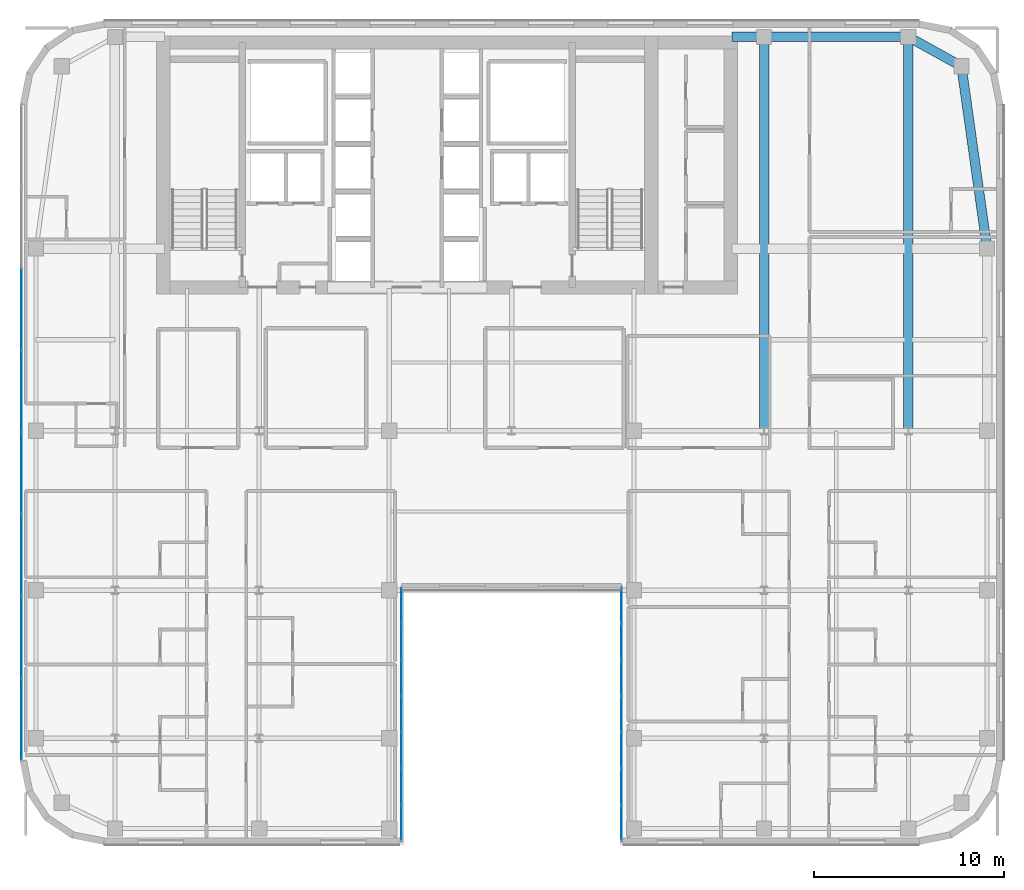
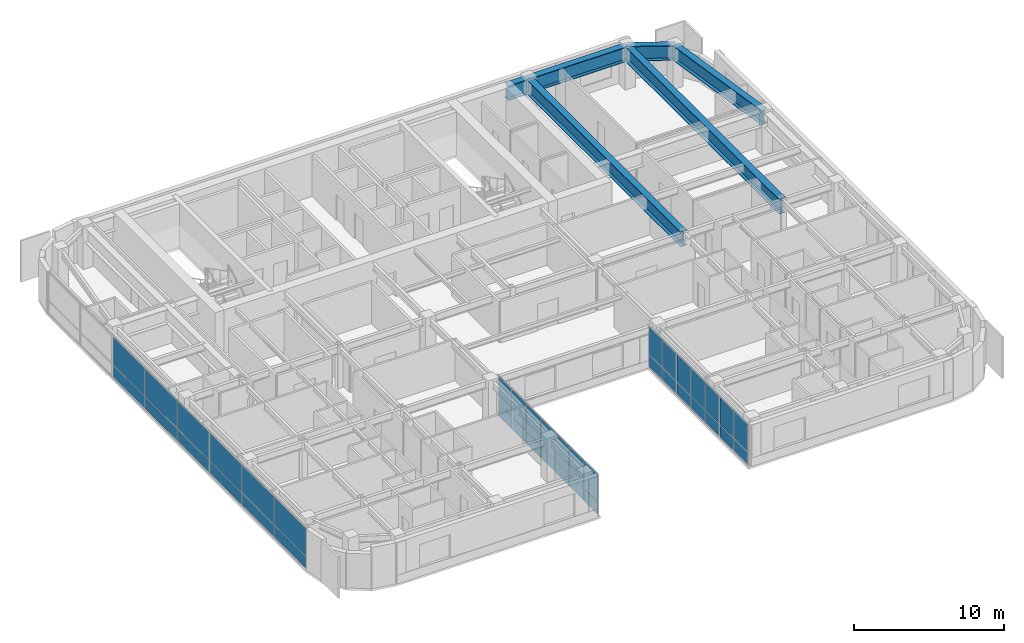
# One storey, part 16 of 28: 40 plates, 6 beams, 3 elements without a shape of their own.
"""IFC4 building model written with IfcOpenShell, lengths in metres."""

import ifcopenshell
import ifcopenshell.guid

model = None  # the IFC model being written
_history = None  # IfcOwnerHistory: only IFC2X3 demands one
_inside = {}  # id of a spatial element -> (the spatial element, [elements in it])
_under = {}  # id of a project, library or spatial element -> (it, [spatial elements below it])
_declared = {}  # id of a project -> (the project, [libraries it declares])
_typed = {}  # id of a type object -> (the type object, [elements of that type])
_made_of = {}  # id of a material, layer set ... -> (it, [elements and type objects made of it])


def new_model(schema):
    """Start an empty IFC model of exactly this schema.

    Asked for "IFC4X3", IfcOpenShell would pick the latest addendum, in which some entities
    have other attributes; the version numbers below select the first issue.
    IFC2X3 requires an IfcOwnerHistory on every rooted entity: one is made here for all.
    """
    global model, _history
    if schema == "IFC4X3":
        model = ifcopenshell.file(schema_version=(4, 3, 0, 0))
    else:
        model = ifcopenshell.file(schema=schema)
    _inside.clear()
    _under.clear()
    _declared.clear()
    _typed.clear()
    _made_of.clear()
    _history = None
    if model.schema == "IFC2X3":
        org = make("IfcOrganization", Name="unknown")
        user = make(
            "IfcPersonAndOrganization",
            ThePerson=make("IfcPerson", FamilyName="unknown"),
            TheOrganization=org,
        )
        app = make(
            "IfcApplication",
            ApplicationDeveloper=org,
            Version="unknown",
            ApplicationFullName="unknown",
            ApplicationIdentifier="unknown",
        )
        _history = make(
            "IfcOwnerHistory",
            OwningUser=user,
            OwningApplication=app,
            ChangeAction="ADDED",
            CreationDate=0,
        )
    return model


def make(cls, **values):
    """One entity of the class cls with the attributes given. An attribute that is None is left unset."""
    return model.create_entity(
        cls, **{name: value for name, value in values.items() if value is not None}
    )


def rooted(cls, **values):
    """An entity with a GlobalId (a new one), such as an element, a storey or a relation."""
    return make(cls, GlobalId=ifcopenshell.guid.new(), OwnerHistory=_history, **values)


def si_unit(unit_type, name, prefix=None):
    """IfcSIUnit, for example si_unit("LENGTHUNIT", "METRE", prefix="MILLI")."""
    return make("IfcSIUnit", UnitType=unit_type, Prefix=prefix, Name=name)


def assignment(units):
    """IfcUnitAssignment: the units of a project."""
    return None if units is None else make("IfcUnitAssignment", Units=units)


def point(xyz):
    """IfcCartesianPoint."""
    return None if xyz is None else make("IfcCartesianPoint", Coordinates=xyz)


def direction(xyz):
    """IfcDirection."""
    return None if xyz is None else make("IfcDirection", DirectionRatios=xyz)


def frame(location, z_axis=None, x_axis=None):
    """IfcAxis2Placement3D, a coordinate frame: its origin and axes. An axis left out is left unset."""
    return make(
        "IfcAxis2Placement3D",
        Location=point(location),
        Axis=direction(z_axis),
        RefDirection=direction(x_axis),
    )


def frame_2d(location, x_axis=None):
    """IfcAxis2Placement2D, a coordinate frame in the plane: its origin and x axis."""
    return make(
        "IfcAxis2Placement2D", Location=point(location), RefDirection=direction(x_axis)
    )


def origin():
    """The frame at (0, 0, 0) with its axes left unset."""
    return frame((0.0, 0.0, 0.0))


def origin_2d():
    """The frame at (0, 0) in the plane with its x axis left unset."""
    return frame_2d((0.0, 0.0))


def place(relative_to, where):
    """IfcLocalPlacement: puts the frame where relative to a parent placement (None: the world)."""
    return make(
        "IfcLocalPlacement", PlacementRelTo=relative_to, RelativePlacement=where
    )


def context(
    kind, dimensions, precision=None, world=None, true_north=None, identifier=None
):
    """IfcGeometricRepresentationContext, for example the 3D "Model" context."""
    return make(
        "IfcGeometricRepresentationContext",
        ContextIdentifier=identifier,
        ContextType=kind,
        CoordinateSpaceDimension=dimensions,
        Precision=precision,
        WorldCoordinateSystem=world,
        TrueNorth=true_north,
    )


def subcontext(parent, identifier, kind, view, scale=None):
    """IfcGeometricRepresentationSubContext, for example "Body" below "Model"."""
    return make(
        "IfcGeometricRepresentationSubContext",
        ContextIdentifier=identifier,
        ContextType=kind,
        ParentContext=parent,
        TargetScale=scale,
        TargetView=view,
    )


def project(units=None, contexts=None):
    """IfcProject with its units and contexts."""
    return rooted(
        "IfcProject",
        Name="project",
        RepresentationContexts=contexts,
        UnitsInContext=assignment(units),
    )


def spatial(cls, under=None, at=None, **own):
    """A site, building, storey or space (cls), placed at a placement, below another one or the project."""
    s = rooted(cls, ObjectPlacement=at, **own)
    if under is not None:
        _under.setdefault(under.id(), (under, []))[1].append(s)
    return s


def profile(cls, at=None, kind="AREA", **sizes):
    """A parametric profile (cls). Its sizes go by their IFC names, for example OverallWidth=200.0."""
    return make(cls, ProfileType=kind, Position=at, **sizes)


def rectangle(**sizes):
    """IfcRectangleProfileDef."""
    return profile("IfcRectangleProfileDef", **sizes)


def i_section(**sizes):
    """IfcIShapeProfileDef."""
    return profile("IfcIShapeProfileDef", **sizes)


def extrude(swept, where, along, depth):
    """IfcExtrudedAreaSolid: the profile swept, set in the frame where, extruded along a direction by depth."""
    return make(
        "IfcExtrudedAreaSolid",
        SweptArea=swept,
        Position=where,
        ExtrudedDirection=direction(along),
        Depth=depth,
    )


def shape(context_of_items, identifier, shape_type, items):
    """IfcShapeRepresentation: the items that make up one representation, for example the "Body"."""
    return make(
        "IfcShapeRepresentation",
        ContextOfItems=context_of_items,
        RepresentationIdentifier=identifier,
        RepresentationType=shape_type,
        Items=items,
    )


def source(mapping_origin, context_of_items, identifier, shape_type, items):
    """IfcRepresentationMap: a shape defined once, which mapped items show again and again."""
    return make(
        "IfcRepresentationMap",
        MappingOrigin=mapping_origin,
        MappedRepresentation=shape(context_of_items, identifier, shape_type, items),
    )


def transform(
    local_origin,
    x_axis=None,
    y_axis=None,
    z_axis=None,
    scale=None,
    scale2=None,
    scale3=None,
    uniform=True,
):
    """IfcCartesianTransformationOperator3D, or its non-uniform kind. x_axis, y_axis, z_axis: its Axis1, 2, 3."""
    if uniform:
        return make(
            "IfcCartesianTransformationOperator3D",
            Axis1=direction(x_axis),
            Axis2=direction(y_axis),
            LocalOrigin=point(local_origin),
            Scale=scale,
            Axis3=direction(z_axis),
        )
    return make(
        "IfcCartesianTransformationOperator3DnonUniform",
        Axis1=direction(x_axis),
        Axis2=direction(y_axis),
        LocalOrigin=point(local_origin),
        Scale=scale,
        Axis3=direction(z_axis),
        Scale2=scale2,
        Scale3=scale3,
    )


def mapped(mapping_source, mapping_target):
    """IfcMappedItem: shows the shape of a source again, moved by a transform."""
    return make(
        "IfcMappedItem", MappingSource=mapping_source, MappingTarget=mapping_target
    )


def material(Name=None, Category=None):
    """IfcMaterial."""
    return make("IfcMaterial", Name=Name, Category=Category)


def layer(
    of_material, thickness, ventilated=None, Name=None, Category=None, Priority=None
):
    """IfcMaterialLayer: one layer of a wall or slab, of a material (None: an air gap)."""
    return make(
        "IfcMaterialLayer",
        Material=of_material,
        LayerThickness=thickness,
        IsVentilated=ventilated,
        Name=Name,
        Category=Category,
        Priority=Priority,
    )


def layer_set(layers, Name=None):
    """IfcMaterialLayerSet."""
    return make("IfcMaterialLayerSet", MaterialLayers=layers, LayerSetName=Name)


def material_profile(
    of_material, cross_section, Name=None, Category=None, Priority=None
):
    """IfcMaterialProfile: a cross section and its material."""
    return make(
        "IfcMaterialProfile",
        Name=Name,
        Material=of_material,
        Profile=cross_section,
        Priority=Priority,
        Category=Category,
    )


def profile_set(profiles, Name=None, composite=None):
    """IfcMaterialProfileSet."""
    return make(
        "IfcMaterialProfileSet",
        Name=Name,
        MaterialProfiles=profiles,
        CompositeProfile=composite,
    )


def made_of(thing, what):
    """Note that an element or type object is made of a material, layer set ...; save() writes the relation."""
    if what is not None:
        _made_of.setdefault(what.id(), (what, []))[1].append(thing)
    return thing


def type_object(cls, material=None, **own):
    """A type object (cls), such as IfcWallType, which elements share."""
    return made_of(rooted(cls, **own), material)


def type_shapes(of_type, sources):
    """Give a type object the sources (RepresentationMaps) that its elements show as mapped items."""
    of_type.RepresentationMaps = sources


def element(
    cls,
    number,
    at=None,
    inside=None,
    cuts=None,
    type_object=None,
    material=None,
    context=None,
    identifier="Body",
    shape_type=None,
    held_by="IfcProductDefinitionShape",
    body=None,
    shapes=None,
    **own,
):
    """One element of the class cls, such as IfcWall. Its Tag is "e" and its number.

    at: its placement. inside: the storey or other place that contains it. cuts: it is an
    opening in that element (IfcRelVoidsElement). A single representation is given by context,
    identifier, shape_type and body (its items); several are given by shapes. held_by: the class
    of the entity that holds the representations. save() writes the other relations.
    """
    e = rooted(cls, Tag="e%d" % number, ObjectPlacement=at, **own)
    if body is not None:
        shapes = [shape(context, identifier, shape_type, body)]
    if shapes is not None:
        e.Representation = make(held_by, Representations=shapes)
    if inside is not None:
        _inside.setdefault(inside.id(), (inside, []))[1].append(e)
    if cuts is not None:
        rooted(
            "IfcRelVoidsElement", RelatingBuildingElement=cuts, RelatedOpeningElement=e
        )
    if type_object is not None:
        _typed.setdefault(type_object.id(), (type_object, []))[1].append(e)
    return made_of(e, material)


def aggregate(whole, parts):
    """IfcRelAggregates: a whole, such as a stair, and the parts it consists of."""
    return rooted("IfcRelAggregates", RelatingObject=whole, RelatedObjects=parts)


def save(model, path):
    """Write the relations noted so far, then the file.

    IfcRelAggregates (storeys below a building ...), IfcRelContainedInSpatialStructure (elements
    in a storey), IfcRelDefinesByType, IfcRelAssociatesMaterial and IfcRelDeclares: one each for
    every whole, place, type object, material and project.
    """
    for whole, parts in _under.values():
        aggregate(whole, parts)
    for where, things in _inside.values():
        rooted(
            "IfcRelContainedInSpatialStructure",
            RelatedElements=things,
            RelatingStructure=where,
        )
    for kind, things in _typed.values():
        rooted("IfcRelDefinesByType", RelatedObjects=things, RelatingType=kind)
    for what, things in _made_of.values():
        rooted("IfcRelAssociatesMaterial", RelatedObjects=things, RelatingMaterial=what)
    for by, libraries in _declared.values():
        rooted("IfcRelDeclares", RelatingContext=by, RelatedDefinitions=libraries)
    model.write(path)


model = new_model("IFC4")

# Units and contexts
model_context = context("Model", 3, precision=1e-05, world=origin(), true_north=direction((0.0, 1.0)))
body_context = subcontext(model_context, "Body", "Model", "MODEL_VIEW")
ifc_project = project(units=[si_unit("LENGTHUNIT", "METRE"), si_unit("AREAUNIT", "SQUARE_METRE"), si_unit("VOLUMEUNIT", "CUBIC_METRE"), si_unit("PLANEANGLEUNIT", "RADIAN"), si_unit("MASSUNIT", "GRAM", prefix="KILO")], contexts=[model_context])

# Site, building, storey
site_placement = place(None, origin())
site = spatial("IfcSite", under=ifc_project, at=site_placement, CompositionType="ELEMENT")
building_placement = place(site_placement, origin())
building = spatial("IfcBuilding", under=site, at=building_placement, Name="Tolvann Quenvar Hotel", CompositionType="ELEMENT")
storey_placement = place(building_placement, frame((0.0, 0.0, 154.14990234375)))
storey = spatial("IfcBuildingStorey", under=building, at=storey_placement, Name="L40", CompositionType="ELEMENT", Elevation=154.14990234375)

# Beams
ifc_material_1 = material(Name="Steel Grade 350", Category="steel")
ifc_material_profile = material_profile(ifc_material_1, i_section(OverallWidth=0.5, OverallDepth=1.199951171875, WebThickness=0.01611328125, FlangeThickness=0.0400390625, at=origin_2d()), Name="1200WB455")
ifc_profile_set = profile_set([ifc_material_profile], Name="Steel Grade 350")
beam_type = type_object("IfcBeamType", Name="BM_TG_1200WB455", PredefinedType="USERDEFINED", material=ifc_profile_set)
shared_shape_1 = source(origin(), body_context, "Body", "SweptSolid", [
    extrude(i_section(OverallWidth=0.5, OverallDepth=1.199951171875, WebThickness=0.01611328125, FlangeThickness=0.0400390625, at=origin_2d()), origin(), (0.0, 0.0, 1.0), 7.599853515625),
])
beam_1_placement = place(storey_placement, frame((49.39990234375, 45.14990234375, 2.77001953125), z_axis=(-1.0, 0.0, 0.0), x_axis=(0.0, -1.0, 0.0)))
element("IfcBeam", 1, at=beam_1_placement, inside=storey, type_object=beam_type, Name="BM-L40-FLK-E4", ObjectType="TRANSFER GIRDER", PredefinedType="USERDEFINED", context=body_context, shape_type="MappedRepresentation", body=[
    mapped(shared_shape_1, transform((0.0, 0.0, 0.0), x_axis=(1.0, 0.0, 0.0), y_axis=(0.0, 1.0, 0.0), z_axis=(0.0, 0.0, 1.0), scale=1.0)),
])
shared_shape_2 = source(origin(), body_context, "Body", "SweptSolid", [
    extrude(i_section(OverallWidth=0.5, OverallDepth=1.199951171875, WebThickness=0.01611328125, FlangeThickness=0.0400390625, at=origin_2d()), origin(), (0.0, 0.0, 1.0), 20.75),
])
for number, where, z_axis, x_axis, name in (
    (2, (41.800048828125, 24.39990234375, 2.77001953125), (0.0, 1.0, 0.0), (-1.0, 0.0, 0.0), "BM-L40-FLK-EH"),
    (3, (49.39990234375, 24.39990234375, 2.77001953125), (0.0, 1.0, 0.0), (-1.0, 0.0, 0.0), "BM-L40-FLK-EI"),
):
    element("IfcBeam", number, at=place(storey_placement, frame(where, z_axis=z_axis, x_axis=x_axis)), inside=storey, type_object=beam_type, Name=name, ObjectType="TRANSFER GIRDER", PredefinedType="USERDEFINED", context=body_context, shape_type="MappedRepresentation", body=[
        mapped(shared_shape_2, transform((0.0, 0.0, 0.0), x_axis=(1.0, 0.0, 0.0), y_axis=(0.0, 1.0, 0.0), z_axis=(0.0, 0.0, 1.0), scale=1.0)),
    ])
shared_shape_3 = source(origin(), body_context, "Body", "SweptSolid", [
    extrude(i_section(OverallWidth=0.5, OverallDepth=1.199951171875, WebThickness=0.01611328125, FlangeThickness=0.0400390625, at=origin_2d()), origin(), (0.0, 0.0, 1.0), 1.699951171875),
])
beam_2_placement = place(storey_placement, frame((40.10009765625, 45.14990234375, 2.77001953125), z_axis=(1.0, 0.0, 0.0), x_axis=(0.0, 1.0, 0.0)))
element("IfcBeam", 4, at=beam_2_placement, inside=storey, type_object=beam_type, Name="BM-L40-CTE-HN", ObjectType="TRANSFER GIRDER", PredefinedType="USERDEFINED", context=body_context, shape_type="MappedRepresentation", body=[
    mapped(shared_shape_3, transform((0.0, 0.0, 0.0), x_axis=(1.0, 0.0, 0.0), y_axis=(0.0, 1.0, 0.0), z_axis=(0.0, 0.0, 1.0), scale=1.0)),
])
shared_shape_4 = source(origin(), body_context, "Body", "SweptSolid", [
    extrude(i_section(OverallWidth=0.5, OverallDepth=1.199951171875, WebThickness=0.01611328125, FlangeThickness=0.0400390625, at=origin_2d()), origin(), (0.0, 0.0, 1.0), 9.694580078125),
])
beam_3_placement = place(storey_placement, frame((53.550048828125, 34.0, 2.77001953125), z_axis=(-0.139263320262, 0.990255385055, 0.0), x_axis=(-0.990255385055, -0.139263320262, 0.0)))
element("IfcBeam", 5, at=beam_3_placement, inside=storey, type_object=beam_type, Name="BM-L40-FLK-E2", ObjectType="TRANSFER GIRDER", PredefinedType="USERDEFINED", context=body_context, shape_type="MappedRepresentation", body=[
    mapped(shared_shape_4, transform((0.0, 0.0, 0.0), x_axis=(1.0, 0.0, 0.0), y_axis=(0.0, 1.0, 0.0), z_axis=(0.0, 0.0, 1.0), scale=1.0)),
])
shared_shape_5 = source(origin(), body_context, "Body", "SweptSolid", [
    extrude(i_section(OverallWidth=0.5, OverallDepth=1.199951171875, WebThickness=0.01611328125, FlangeThickness=0.0400390625, at=origin_2d()), origin(), (0.0, 0.0, 1.0), 3.200439453125),
])
type_shapes(beam_type, [shared_shape_1, shared_shape_2, shared_shape_3, shared_shape_4, shared_shape_5])
beam_4_placement = place(storey_placement, frame((52.199951171875, 43.60009765625, 2.77001953125), z_axis=(-0.87492264453, 0.48426270359, 0.0), x_axis=(-0.48426270359, -0.87492264453, 0.0)))
element("IfcBeam", 6, at=beam_4_placement, inside=storey, type_object=beam_type, Name="BM-L40-FLK-E3", ObjectType="TRANSFER GIRDER", PredefinedType="USERDEFINED", context=body_context, shape_type="MappedRepresentation", body=[
    mapped(shared_shape_5, transform((0.0, 0.0, 0.0), x_axis=(1.0, 0.0, 0.0), y_axis=(0.0, 1.0, 0.0), z_axis=(0.0, 0.0, 1.0), scale=1.0)),
])

# Curtain wall, plates
ifc_material_2 = material(Name="Thermally broken anodised architectural aluminium 6063-T6 and laminated low-E glass", Category="aluminium")
ifc_layer_1 = layer(ifc_material_2, 0.179931640625)
ifc_layer_set_1 = layer_set([ifc_layer_1], Name="Thermally broken anodised architectural aluminium 6063-T6 and laminated low-E glass")
curtain_wall_type_1 = type_object("IfcCurtainWallType", Name="CW_SYS_SLOT_03", PredefinedType="USERDEFINED", material=ifc_layer_set_1)
curtain_wall_1_placement = place(storey_placement, origin())
curtain_wall_1 = element("IfcCurtainWall", 7, at=curtain_wall_1_placement, inside=storey, type_object=curtain_wall_type_1, Name="Curtain Wall CW-SLOT-03 (CWR-L40-E05)", ObjectType="UNITISED CURTAIN WALL", PredefinedType="USERDEFINED")
ifc_material_3 = material(Name="Low-iron laminated double glazing with solar-control coating", Category="glass")
ifc_layer_2 = layer(ifc_material_3, 0.028076171875)
ifc_layer_set_2 = layer_set([ifc_layer_2], Name="Low-iron laminated double glazing with solar-control coating")
plate_type = type_object("IfcPlateType", Name="CW_PAN_VISION_28", PredefinedType="CURTAIN_PANEL", material=ifc_layer_set_2)
shared_shape_6 = source(origin(), body_context, "Body", "SweptSolid", [
    extrude(rectangle(XDim=1.809326171875, YDim=0.028076171875, at=origin_2d()), origin(), (0.0, 0.0, 1.0), 0.9599609375),
])
plate_1_placement = place(storey_placement, frame((22.7099609375, 3.749755859375, 0.06005859375), z_axis=(0.0, 0.0, 1.0), x_axis=(0.0, 1.0, 0.0)))
plate_1 = element("IfcPlate", 8, at=plate_1_placement, type_object=plate_type, Name="CW-SLOT-03 panel 1.1", PredefinedType="CURTAIN_PANEL", context=body_context, shape_type="MappedRepresentation", body=[
    mapped(shared_shape_6, transform((0.0, 0.0, 0.0), x_axis=(1.0, 0.0, 0.0), y_axis=(0.0, 1.0, 0.0), z_axis=(0.0, 0.0, 1.0), scale=1.0)),
])
plate_2_placement = place(storey_placement, frame((22.7099609375, 15.200439453125, 0.06005859375), z_axis=(0.0, 0.0, 1.0), x_axis=(0.0, 1.0, 0.0)))
plate_2 = element("IfcPlate", 9, at=plate_2_placement, type_object=plate_type, Name="CW-SLOT-03 panel 7.1", PredefinedType="CURTAIN_PANEL", context=body_context, shape_type="MappedRepresentation", body=[
    mapped(shared_shape_6, transform((0.0, 0.0, 0.0), x_axis=(1.0, 0.0, 0.0), y_axis=(0.0, 1.0, 0.0), z_axis=(0.0, 0.0, 1.0), scale=1.0)),
])

curtain_wall_2_placement = place(storey_placement, origin())
curtain_wall_2 = element("IfcCurtainWall", 10, at=curtain_wall_2_placement, inside=storey, type_object=curtain_wall_type_1, Name="Curtain Wall CW-SLOT-03 (CWR-L40-E07)", ObjectType="UNITISED CURTAIN WALL", PredefinedType="USERDEFINED")
plate_3_placement = place(storey_placement, frame((34.2900390625, 15.200439453125, 0.06005859375), z_axis=(0.0, 0.0, 1.0), x_axis=(0.0, -1.0, 0.0)))
plate_3 = element("IfcPlate", 11, at=plate_3_placement, type_object=plate_type, Name="CW-SLOT-03 panel 1.1", PredefinedType="CURTAIN_PANEL", context=body_context, shape_type="MappedRepresentation", body=[
    mapped(shared_shape_6, transform((0.0, 0.0, 0.0), x_axis=(1.0, 0.0, 0.0), y_axis=(0.0, 1.0, 0.0), z_axis=(0.0, 0.0, 1.0), scale=1.0)),
])
plate_4_placement = place(storey_placement, frame((34.2900390625, 3.749755859375, 0.06005859375), z_axis=(0.0, 0.0, 1.0), x_axis=(0.0, -1.0, 0.0)))
plate_4 = element("IfcPlate", 12, at=plate_4_placement, type_object=plate_type, Name="CW-SLOT-03 panel 7.1", PredefinedType="CURTAIN_PANEL", context=body_context, shape_type="MappedRepresentation", body=[
    mapped(shared_shape_6, transform((0.0, 0.0, 0.0), x_axis=(1.0, 0.0, 0.0), y_axis=(0.0, 1.0, 0.0), z_axis=(0.0, 0.0, 1.0), scale=1.0)),
])

# Plate
shared_shape_7 = source(origin(), body_context, "Body", "SweptSolid", [
    extrude(rectangle(XDim=1.809326171875, YDim=0.028076171875, at=origin_2d()), origin(), (0.0, 0.0, 1.0), 2.22998046875),
])
plate_5_placement = place(storey_placement, frame((22.7099609375, 3.749755859375, 1.080078125), z_axis=(0.0, 0.0, 1.0), x_axis=(0.0, 1.0, 0.0)))
plate_5 = element("IfcPlate", 13, at=plate_5_placement, type_object=plate_type, Name="CW-SLOT-03 panel 1.2", PredefinedType="CURTAIN_PANEL", context=body_context, shape_type="MappedRepresentation", body=[
    mapped(shared_shape_7, transform((0.0, 0.0, 0.0), x_axis=(1.0, 0.0, 0.0), y_axis=(0.0, 1.0, 0.0), z_axis=(0.0, 0.0, 1.0), scale=1.0)),
])

plate_6_placement = place(storey_placement, frame((22.7099609375, 15.200439453125, 1.080078125), z_axis=(0.0, 0.0, 1.0), x_axis=(0.0, 1.0, 0.0)))
plate_6 = element("IfcPlate", 14, at=plate_6_placement, type_object=plate_type, Name="CW-SLOT-03 panel 7.2", PredefinedType="CURTAIN_PANEL", context=body_context, shape_type="MappedRepresentation", body=[
    mapped(shared_shape_7, transform((0.0, 0.0, 0.0), x_axis=(1.0, 0.0, 0.0), y_axis=(0.0, 1.0, 0.0), z_axis=(0.0, 0.0, 1.0), scale=1.0)),
])

plate_7_placement = place(storey_placement, frame((34.2900390625, 15.200439453125, 1.080078125), z_axis=(0.0, 0.0, 1.0), x_axis=(0.0, -1.0, 0.0)))
plate_7 = element("IfcPlate", 15, at=plate_7_placement, type_object=plate_type, Name="CW-SLOT-03 panel 1.2", PredefinedType="CURTAIN_PANEL", context=body_context, shape_type="MappedRepresentation", body=[
    mapped(shared_shape_7, transform((0.0, 0.0, 0.0), x_axis=(1.0, 0.0, 0.0), y_axis=(0.0, 1.0, 0.0), z_axis=(0.0, 0.0, 1.0), scale=1.0)),
])

plate_8_placement = place(storey_placement, frame((34.2900390625, 3.749755859375, 1.080078125), z_axis=(0.0, 0.0, 1.0), x_axis=(0.0, -1.0, 0.0)))
plate_8 = element("IfcPlate", 16, at=plate_8_placement, type_object=plate_type, Name="CW-SLOT-03 panel 7.2", PredefinedType="CURTAIN_PANEL", context=body_context, shape_type="MappedRepresentation", body=[
    mapped(shared_shape_7, transform((0.0, 0.0, 0.0), x_axis=(1.0, 0.0, 0.0), y_axis=(0.0, 1.0, 0.0), z_axis=(0.0, 0.0, 1.0), scale=1.0)),
])

shared_shape_8 = source(origin(), body_context, "Body", "SweptSolid", [
    extrude(rectangle(XDim=1.84423828125, YDim=0.028076171875, at=origin_2d()), origin(), (0.0, 0.0, 1.0), 0.9599609375),
])
plate_9_placement = place(storey_placement, frame((22.7099609375, 5.646484375, 0.06005859375), z_axis=(0.0, 0.0, 1.0), x_axis=(0.0, 1.0, 0.0)))
plate_9 = element("IfcPlate", 17, at=plate_9_placement, type_object=plate_type, Name="CW-SLOT-03 panel 2.1", PredefinedType="CURTAIN_PANEL", context=body_context, shape_type="MappedRepresentation", body=[
    mapped(shared_shape_8, transform((0.0, 0.0, 0.0), x_axis=(1.0, 0.0, 0.0), y_axis=(0.0, 1.0, 0.0), z_axis=(0.0, 0.0, 1.0), scale=1.0)),
])

plate_10_placement = place(storey_placement, frame((22.7099609375, 7.560791015625, 0.06005859375), z_axis=(0.0, 0.0, 1.0), x_axis=(0.0, 1.0, 0.0)))
plate_10 = element("IfcPlate", 18, at=plate_10_placement, type_object=plate_type, Name="CW-SLOT-03 panel 3.1", PredefinedType="CURTAIN_PANEL", context=body_context, shape_type="MappedRepresentation", body=[
    mapped(shared_shape_8, transform((0.0, 0.0, 0.0), x_axis=(1.0, 0.0, 0.0), y_axis=(0.0, 1.0, 0.0), z_axis=(0.0, 0.0, 1.0), scale=1.0)),
])

plate_11_placement = place(storey_placement, frame((22.7099609375, 9.47509765625, 0.06005859375), z_axis=(0.0, 0.0, 1.0), x_axis=(0.0, 1.0, 0.0)))
plate_11 = element("IfcPlate", 19, at=plate_11_placement, type_object=plate_type, Name="CW-SLOT-03 panel 4.1", PredefinedType="CURTAIN_PANEL", context=body_context, shape_type="MappedRepresentation", body=[
    mapped(shared_shape_8, transform((0.0, 0.0, 0.0), x_axis=(1.0, 0.0, 0.0), y_axis=(0.0, 1.0, 0.0), z_axis=(0.0, 0.0, 1.0), scale=1.0)),
])

plate_12_placement = place(storey_placement, frame((22.7099609375, 11.389404296875, 0.06005859375), z_axis=(0.0, 0.0, 1.0), x_axis=(0.0, 1.0, 0.0)))
plate_12 = element("IfcPlate", 20, at=plate_12_placement, type_object=plate_type, Name="CW-SLOT-03 panel 5.1", PredefinedType="CURTAIN_PANEL", context=body_context, shape_type="MappedRepresentation", body=[
    mapped(shared_shape_8, transform((0.0, 0.0, 0.0), x_axis=(1.0, 0.0, 0.0), y_axis=(0.0, 1.0, 0.0), z_axis=(0.0, 0.0, 1.0), scale=1.0)),
])

plate_13_placement = place(storey_placement, frame((22.7099609375, 13.303466796875, 0.06005859375), z_axis=(0.0, 0.0, 1.0), x_axis=(0.0, 1.0, 0.0)))
plate_13 = element("IfcPlate", 21, at=plate_13_placement, type_object=plate_type, Name="CW-SLOT-03 panel 6.1", PredefinedType="CURTAIN_PANEL", context=body_context, shape_type="MappedRepresentation", body=[
    mapped(shared_shape_8, transform((0.0, 0.0, 0.0), x_axis=(1.0, 0.0, 0.0), y_axis=(0.0, 1.0, 0.0), z_axis=(0.0, 0.0, 1.0), scale=1.0)),
])

plate_14_placement = place(storey_placement, frame((34.2900390625, 13.303466796875, 0.06005859375), z_axis=(0.0, 0.0, 1.0), x_axis=(0.0, -1.0, 0.0)))
plate_14 = element("IfcPlate", 22, at=plate_14_placement, type_object=plate_type, Name="CW-SLOT-03 panel 2.1", PredefinedType="CURTAIN_PANEL", context=body_context, shape_type="MappedRepresentation", body=[
    mapped(shared_shape_8, transform((0.0, 0.0, 0.0), x_axis=(1.0, 0.0, 0.0), y_axis=(0.0, 1.0, 0.0), z_axis=(0.0, 0.0, 1.0), scale=1.0)),
])

plate_15_placement = place(storey_placement, frame((34.2900390625, 11.389404296875, 0.06005859375), z_axis=(0.0, 0.0, 1.0), x_axis=(0.0, -1.0, 0.0)))
plate_15 = element("IfcPlate", 23, at=plate_15_placement, type_object=plate_type, Name="CW-SLOT-03 panel 3.1", PredefinedType="CURTAIN_PANEL", context=body_context, shape_type="MappedRepresentation", body=[
    mapped(shared_shape_8, transform((0.0, 0.0, 0.0), x_axis=(1.0, 0.0, 0.0), y_axis=(0.0, 1.0, 0.0), z_axis=(0.0, 0.0, 1.0), scale=1.0)),
])

plate_16_placement = place(storey_placement, frame((34.2900390625, 9.47509765625, 0.06005859375), z_axis=(0.0, 0.0, 1.0), x_axis=(0.0, -1.0, 0.0)))
plate_16 = element("IfcPlate", 24, at=plate_16_placement, type_object=plate_type, Name="CW-SLOT-03 panel 4.1", PredefinedType="CURTAIN_PANEL", context=body_context, shape_type="MappedRepresentation", body=[
    mapped(shared_shape_8, transform((0.0, 0.0, 0.0), x_axis=(1.0, 0.0, 0.0), y_axis=(0.0, 1.0, 0.0), z_axis=(0.0, 0.0, 1.0), scale=1.0)),
])

plate_17_placement = place(storey_placement, frame((34.2900390625, 7.560791015625, 0.06005859375), z_axis=(0.0, 0.0, 1.0), x_axis=(0.0, -1.0, 0.0)))
plate_17 = element("IfcPlate", 25, at=plate_17_placement, type_object=plate_type, Name="CW-SLOT-03 panel 5.1", PredefinedType="CURTAIN_PANEL", context=body_context, shape_type="MappedRepresentation", body=[
    mapped(shared_shape_8, transform((0.0, 0.0, 0.0), x_axis=(1.0, 0.0, 0.0), y_axis=(0.0, 1.0, 0.0), z_axis=(0.0, 0.0, 1.0), scale=1.0)),
])

plate_18_placement = place(storey_placement, frame((34.2900390625, 5.646484375, 0.06005859375), z_axis=(0.0, 0.0, 1.0), x_axis=(0.0, -1.0, 0.0)))
plate_18 = element("IfcPlate", 26, at=plate_18_placement, type_object=plate_type, Name="CW-SLOT-03 panel 6.1", PredefinedType="CURTAIN_PANEL", context=body_context, shape_type="MappedRepresentation", body=[
    mapped(shared_shape_8, transform((0.0, 0.0, 0.0), x_axis=(1.0, 0.0, 0.0), y_axis=(0.0, 1.0, 0.0), z_axis=(0.0, 0.0, 1.0), scale=1.0)),
])

shared_shape_9 = source(origin(), body_context, "Body", "SweptSolid", [
    extrude(rectangle(XDim=1.84423828125, YDim=0.028076171875, at=origin_2d()), origin(), (0.0, 0.0, 1.0), 2.22998046875),
])
plate_19_placement = place(storey_placement, frame((22.7099609375, 5.646484375, 1.080078125), z_axis=(0.0, 0.0, 1.0), x_axis=(0.0, 1.0, 0.0)))
plate_19 = element("IfcPlate", 27, at=plate_19_placement, type_object=plate_type, Name="CW-SLOT-03 panel 2.2", PredefinedType="CURTAIN_PANEL", context=body_context, shape_type="MappedRepresentation", body=[
    mapped(shared_shape_9, transform((0.0, 0.0, 0.0), x_axis=(1.0, 0.0, 0.0), y_axis=(0.0, 1.0, 0.0), z_axis=(0.0, 0.0, 1.0), scale=1.0)),
])

plate_20_placement = place(storey_placement, frame((22.7099609375, 7.560791015625, 1.080078125), z_axis=(0.0, 0.0, 1.0), x_axis=(0.0, 1.0, 0.0)))
plate_20 = element("IfcPlate", 28, at=plate_20_placement, type_object=plate_type, Name="CW-SLOT-03 panel 3.2", PredefinedType="CURTAIN_PANEL", context=body_context, shape_type="MappedRepresentation", body=[
    mapped(shared_shape_9, transform((0.0, 0.0, 0.0), x_axis=(1.0, 0.0, 0.0), y_axis=(0.0, 1.0, 0.0), z_axis=(0.0, 0.0, 1.0), scale=1.0)),
])

plate_21_placement = place(storey_placement, frame((22.7099609375, 9.47509765625, 1.080078125), z_axis=(0.0, 0.0, 1.0), x_axis=(0.0, 1.0, 0.0)))
plate_21 = element("IfcPlate", 29, at=plate_21_placement, type_object=plate_type, Name="CW-SLOT-03 panel 4.2", PredefinedType="CURTAIN_PANEL", context=body_context, shape_type="MappedRepresentation", body=[
    mapped(shared_shape_9, transform((0.0, 0.0, 0.0), x_axis=(1.0, 0.0, 0.0), y_axis=(0.0, 1.0, 0.0), z_axis=(0.0, 0.0, 1.0), scale=1.0)),
])

plate_22_placement = place(storey_placement, frame((22.7099609375, 11.389404296875, 1.080078125), z_axis=(0.0, 0.0, 1.0), x_axis=(0.0, 1.0, 0.0)))
plate_22 = element("IfcPlate", 30, at=plate_22_placement, type_object=plate_type, Name="CW-SLOT-03 panel 5.2", PredefinedType="CURTAIN_PANEL", context=body_context, shape_type="MappedRepresentation", body=[
    mapped(shared_shape_9, transform((0.0, 0.0, 0.0), x_axis=(1.0, 0.0, 0.0), y_axis=(0.0, 1.0, 0.0), z_axis=(0.0, 0.0, 1.0), scale=1.0)),
])

plate_23_placement = place(storey_placement, frame((22.7099609375, 13.303466796875, 1.080078125), z_axis=(0.0, 0.0, 1.0), x_axis=(0.0, 1.0, 0.0)))
plate_23 = element("IfcPlate", 31, at=plate_23_placement, type_object=plate_type, Name="CW-SLOT-03 panel 6.2", PredefinedType="CURTAIN_PANEL", context=body_context, shape_type="MappedRepresentation", body=[
    mapped(shared_shape_9, transform((0.0, 0.0, 0.0), x_axis=(1.0, 0.0, 0.0), y_axis=(0.0, 1.0, 0.0), z_axis=(0.0, 0.0, 1.0), scale=1.0)),
])

aggregate(curtain_wall_1, [plate_1, plate_5, plate_9, plate_19, plate_10, plate_20, plate_11, plate_21, plate_12, plate_22, plate_13, plate_23, plate_2, plate_6])

plate_24_placement = place(storey_placement, frame((34.2900390625, 13.303466796875, 1.080078125), z_axis=(0.0, 0.0, 1.0), x_axis=(0.0, -1.0, 0.0)))
plate_24 = element("IfcPlate", 32, at=plate_24_placement, type_object=plate_type, Name="CW-SLOT-03 panel 2.2", PredefinedType="CURTAIN_PANEL", context=body_context, shape_type="MappedRepresentation", body=[
    mapped(shared_shape_9, transform((0.0, 0.0, 0.0), x_axis=(1.0, 0.0, 0.0), y_axis=(0.0, 1.0, 0.0), z_axis=(0.0, 0.0, 1.0), scale=1.0)),
])

plate_25_placement = place(storey_placement, frame((34.2900390625, 11.389404296875, 1.080078125), z_axis=(0.0, 0.0, 1.0), x_axis=(0.0, -1.0, 0.0)))
plate_25 = element("IfcPlate", 33, at=plate_25_placement, type_object=plate_type, Name="CW-SLOT-03 panel 3.2", PredefinedType="CURTAIN_PANEL", context=body_context, shape_type="MappedRepresentation", body=[
    mapped(shared_shape_9, transform((0.0, 0.0, 0.0), x_axis=(1.0, 0.0, 0.0), y_axis=(0.0, 1.0, 0.0), z_axis=(0.0, 0.0, 1.0), scale=1.0)),
])

plate_26_placement = place(storey_placement, frame((34.2900390625, 9.47509765625, 1.080078125), z_axis=(0.0, 0.0, 1.0), x_axis=(0.0, -1.0, 0.0)))
plate_26 = element("IfcPlate", 34, at=plate_26_placement, type_object=plate_type, Name="CW-SLOT-03 panel 4.2", PredefinedType="CURTAIN_PANEL", context=body_context, shape_type="MappedRepresentation", body=[
    mapped(shared_shape_9, transform((0.0, 0.0, 0.0), x_axis=(1.0, 0.0, 0.0), y_axis=(0.0, 1.0, 0.0), z_axis=(0.0, 0.0, 1.0), scale=1.0)),
])

plate_27_placement = place(storey_placement, frame((34.2900390625, 7.560791015625, 1.080078125), z_axis=(0.0, 0.0, 1.0), x_axis=(0.0, -1.0, 0.0)))
plate_27 = element("IfcPlate", 35, at=plate_27_placement, type_object=plate_type, Name="CW-SLOT-03 panel 5.2", PredefinedType="CURTAIN_PANEL", context=body_context, shape_type="MappedRepresentation", body=[
    mapped(shared_shape_9, transform((0.0, 0.0, 0.0), x_axis=(1.0, 0.0, 0.0), y_axis=(0.0, 1.0, 0.0), z_axis=(0.0, 0.0, 1.0), scale=1.0)),
])

plate_28_placement = place(storey_placement, frame((34.2900390625, 5.646484375, 1.080078125), z_axis=(0.0, 0.0, 1.0), x_axis=(0.0, -1.0, 0.0)))
plate_28 = element("IfcPlate", 36, at=plate_28_placement, type_object=plate_type, Name="CW-SLOT-03 panel 6.2", PredefinedType="CURTAIN_PANEL", context=body_context, shape_type="MappedRepresentation", body=[
    mapped(shared_shape_9, transform((0.0, 0.0, 0.0), x_axis=(1.0, 0.0, 0.0), y_axis=(0.0, 1.0, 0.0), z_axis=(0.0, 0.0, 1.0), scale=1.0)),
])

aggregate(curtain_wall_2, [plate_3, plate_7, plate_14, plate_24, plate_15, plate_25, plate_16, plate_26, plate_17, plate_27, plate_18, plate_28, plate_4, plate_8])

# Curtain wall, plates
ifc_layer_3 = layer(ifc_material_2, 0.179931640625)
ifc_layer_set_3 = layer_set([ifc_layer_3], Name="Thermally broken anodised architectural aluminium 6063-T6 and laminated low-E glass")
curtain_wall_type_2 = type_object("IfcCurtainWallType", Name="CW_SYS_BAND_04", PredefinedType="USERDEFINED", material=ifc_layer_set_3)
curtain_wall_3_placement = place(storey_placement, origin())
curtain_wall_3 = element("IfcCurtainWall", 37, at=curtain_wall_3_placement, inside=storey, type_object=curtain_wall_type_2, Name="Curtain Wall CW-BAND-04 (CWR-L40-E23)", ObjectType="UNITISED CURTAIN WALL", PredefinedType="USERDEFINED")
shared_shape_10 = source(origin(), body_context, "Body", "SweptSolid", [
    extrude(rectangle(XDim=4.2158203125, YDim=0.028076171875, at=origin_2d()), origin(), (0.0, 0.0, 1.0), 0.9599609375),
])
plate_29_placement = place(storey_placement, frame((2.68994140625, 9.195068359375, 0.06005859375), z_axis=(0.0, 0.0, 1.0), x_axis=(0.0, -1.0, 0.0)))
plate_29 = element("IfcPlate", 38, at=plate_29_placement, type_object=plate_type, Name="CW-BAND-04 panel 8.1", PredefinedType="CURTAIN_PANEL", context=body_context, shape_type="MappedRepresentation", body=[
    mapped(shared_shape_10, transform((0.0, 0.0, 0.0), x_axis=(1.0, 0.0, 0.0), y_axis=(0.0, 1.0, 0.0), z_axis=(0.0, 0.0, 1.0), scale=1.0)),
])
shared_shape_11 = source(origin(), body_context, "Body", "SweptSolid", [
    extrude(rectangle(XDim=4.2158203125, YDim=0.028076171875, at=origin_2d()), origin(), (0.0, 0.0, 1.0), 2.22998046875),
])
plate_30_placement = place(storey_placement, frame((2.68994140625, 9.195068359375, 1.080078125), z_axis=(0.0, 0.0, 1.0), x_axis=(0.0, -1.0, 0.0)))
plate_30 = element("IfcPlate", 39, at=plate_30_placement, type_object=plate_type, Name="CW-BAND-04 panel 8.2", PredefinedType="CURTAIN_PANEL", context=body_context, shape_type="MappedRepresentation", body=[
    mapped(shared_shape_11, transform((0.0, 0.0, 0.0), x_axis=(1.0, 0.0, 0.0), y_axis=(0.0, 1.0, 0.0), z_axis=(0.0, 0.0, 1.0), scale=1.0)),
])
shared_shape_12 = source(origin(), body_context, "Body", "SweptSolid", [
    extrude(rectangle(XDim=4.250732421875, YDim=0.028076171875, at=origin_2d()), origin(), (0.0, 0.0, 1.0), 0.9599609375),
])
plate_31_placement = place(storey_placement, frame((2.68994140625, 30.781005859375, 0.06005859375), z_axis=(0.0, 0.0, 1.0), x_axis=(0.0, -1.0, 0.0)))
plate_31 = element("IfcPlate", 40, at=plate_31_placement, type_object=plate_type, Name="CW-BAND-04 panel 3.1", PredefinedType="CURTAIN_PANEL", context=body_context, shape_type="MappedRepresentation", body=[
    mapped(shared_shape_12, transform((0.0, 0.0, 0.0), x_axis=(1.0, 0.0, 0.0), y_axis=(0.0, 1.0, 0.0), z_axis=(0.0, 0.0, 1.0), scale=1.0)),
])
plate_32_placement = place(storey_placement, frame((2.68994140625, 26.46044921875, 0.06005859375), z_axis=(0.0, 0.0, 1.0), x_axis=(0.0, -1.0, 0.0)))
plate_32 = element("IfcPlate", 41, at=plate_32_placement, type_object=plate_type, Name="CW-BAND-04 panel 4.1", PredefinedType="CURTAIN_PANEL", context=body_context, shape_type="MappedRepresentation", body=[
    mapped(shared_shape_12, transform((0.0, 0.0, 0.0), x_axis=(1.0, 0.0, 0.0), y_axis=(0.0, 1.0, 0.0), z_axis=(0.0, 0.0, 1.0), scale=1.0)),
])
plate_33_placement = place(storey_placement, frame((2.68994140625, 22.1396484375, 0.06005859375), z_axis=(0.0, 0.0, 1.0), x_axis=(0.0, -1.0, 0.0)))
plate_33 = element("IfcPlate", 42, at=plate_33_placement, type_object=plate_type, Name="CW-BAND-04 panel 5.1", PredefinedType="CURTAIN_PANEL", context=body_context, shape_type="MappedRepresentation", body=[
    mapped(shared_shape_12, transform((0.0, 0.0, 0.0), x_axis=(1.0, 0.0, 0.0), y_axis=(0.0, 1.0, 0.0), z_axis=(0.0, 0.0, 1.0), scale=1.0)),
])
plate_34_placement = place(storey_placement, frame((2.68994140625, 17.81884765625, 0.06005859375), z_axis=(0.0, 0.0, 1.0), x_axis=(0.0, -1.0, 0.0)))
plate_34 = element("IfcPlate", 43, at=plate_34_placement, type_object=plate_type, Name="CW-BAND-04 panel 6.1", PredefinedType="CURTAIN_PANEL", context=body_context, shape_type="MappedRepresentation", body=[
    mapped(shared_shape_12, transform((0.0, 0.0, 0.0), x_axis=(1.0, 0.0, 0.0), y_axis=(0.0, 1.0, 0.0), z_axis=(0.0, 0.0, 1.0), scale=1.0)),
])
plate_35_placement = place(storey_placement, frame((2.68994140625, 13.498291015625, 0.06005859375), z_axis=(0.0, 0.0, 1.0), x_axis=(0.0, -1.0, 0.0)))
plate_35 = element("IfcPlate", 44, at=plate_35_placement, type_object=plate_type, Name="CW-BAND-04 panel 7.1", PredefinedType="CURTAIN_PANEL", context=body_context, shape_type="MappedRepresentation", body=[
    mapped(shared_shape_12, transform((0.0, 0.0, 0.0), x_axis=(1.0, 0.0, 0.0), y_axis=(0.0, 1.0, 0.0), z_axis=(0.0, 0.0, 1.0), scale=1.0)),
])
shared_shape_13 = source(origin(), body_context, "Body", "SweptSolid", [
    extrude(rectangle(XDim=4.250732421875, YDim=0.028076171875, at=origin_2d()), origin(), (0.0, 0.0, 1.0), 2.22998046875),
])
type_shapes(plate_type, [shared_shape_6, shared_shape_7, shared_shape_8, shared_shape_9, shared_shape_10, shared_shape_11, shared_shape_12, shared_shape_13])
plate_36_placement = place(storey_placement, frame((2.68994140625, 30.781005859375, 1.080078125), z_axis=(0.0, 0.0, 1.0), x_axis=(0.0, -1.0, 0.0)))
plate_36 = element("IfcPlate", 45, at=plate_36_placement, type_object=plate_type, Name="CW-BAND-04 panel 3.2", PredefinedType="CURTAIN_PANEL", context=body_context, shape_type="MappedRepresentation", body=[
    mapped(shared_shape_13, transform((0.0, 0.0, 0.0), x_axis=(1.0, 0.0, 0.0), y_axis=(0.0, 1.0, 0.0), z_axis=(0.0, 0.0, 1.0), scale=1.0)),
])
plate_37_placement = place(storey_placement, frame((2.68994140625, 26.46044921875, 1.080078125), z_axis=(0.0, 0.0, 1.0), x_axis=(0.0, -1.0, 0.0)))
plate_37 = element("IfcPlate", 46, at=plate_37_placement, type_object=plate_type, Name="CW-BAND-04 panel 4.2", PredefinedType="CURTAIN_PANEL", context=body_context, shape_type="MappedRepresentation", body=[
    mapped(shared_shape_13, transform((0.0, 0.0, 0.0), x_axis=(1.0, 0.0, 0.0), y_axis=(0.0, 1.0, 0.0), z_axis=(0.0, 0.0, 1.0), scale=1.0)),
])
plate_38_placement = place(storey_placement, frame((2.68994140625, 22.1396484375, 1.080078125), z_axis=(0.0, 0.0, 1.0), x_axis=(0.0, -1.0, 0.0)))
plate_38 = element("IfcPlate", 47, at=plate_38_placement, type_object=plate_type, Name="CW-BAND-04 panel 5.2", PredefinedType="CURTAIN_PANEL", context=body_context, shape_type="MappedRepresentation", body=[
    mapped(shared_shape_13, transform((0.0, 0.0, 0.0), x_axis=(1.0, 0.0, 0.0), y_axis=(0.0, 1.0, 0.0), z_axis=(0.0, 0.0, 1.0), scale=1.0)),
])
plate_39_placement = place(storey_placement, frame((2.68994140625, 17.81884765625, 1.080078125), z_axis=(0.0, 0.0, 1.0), x_axis=(0.0, -1.0, 0.0)))
plate_39 = element("IfcPlate", 48, at=plate_39_placement, type_object=plate_type, Name="CW-BAND-04 panel 6.2", PredefinedType="CURTAIN_PANEL", context=body_context, shape_type="MappedRepresentation", body=[
    mapped(shared_shape_13, transform((0.0, 0.0, 0.0), x_axis=(1.0, 0.0, 0.0), y_axis=(0.0, 1.0, 0.0), z_axis=(0.0, 0.0, 1.0), scale=1.0)),
])
plate_40_placement = place(storey_placement, frame((2.68994140625, 13.498291015625, 1.080078125), z_axis=(0.0, 0.0, 1.0), x_axis=(0.0, -1.0, 0.0)))
plate_40 = element("IfcPlate", 49, at=plate_40_placement, type_object=plate_type, Name="CW-BAND-04 panel 7.2", PredefinedType="CURTAIN_PANEL", context=body_context, shape_type="MappedRepresentation", body=[
    mapped(shared_shape_13, transform((0.0, 0.0, 0.0), x_axis=(1.0, 0.0, 0.0), y_axis=(0.0, 1.0, 0.0), z_axis=(0.0, 0.0, 1.0), scale=1.0)),
])
aggregate(curtain_wall_3, [plate_31, plate_36, plate_32, plate_37, plate_33, plate_38, plate_34, plate_39, plate_35, plate_40, plate_29, plate_30])

save(model, "model.ifc")
